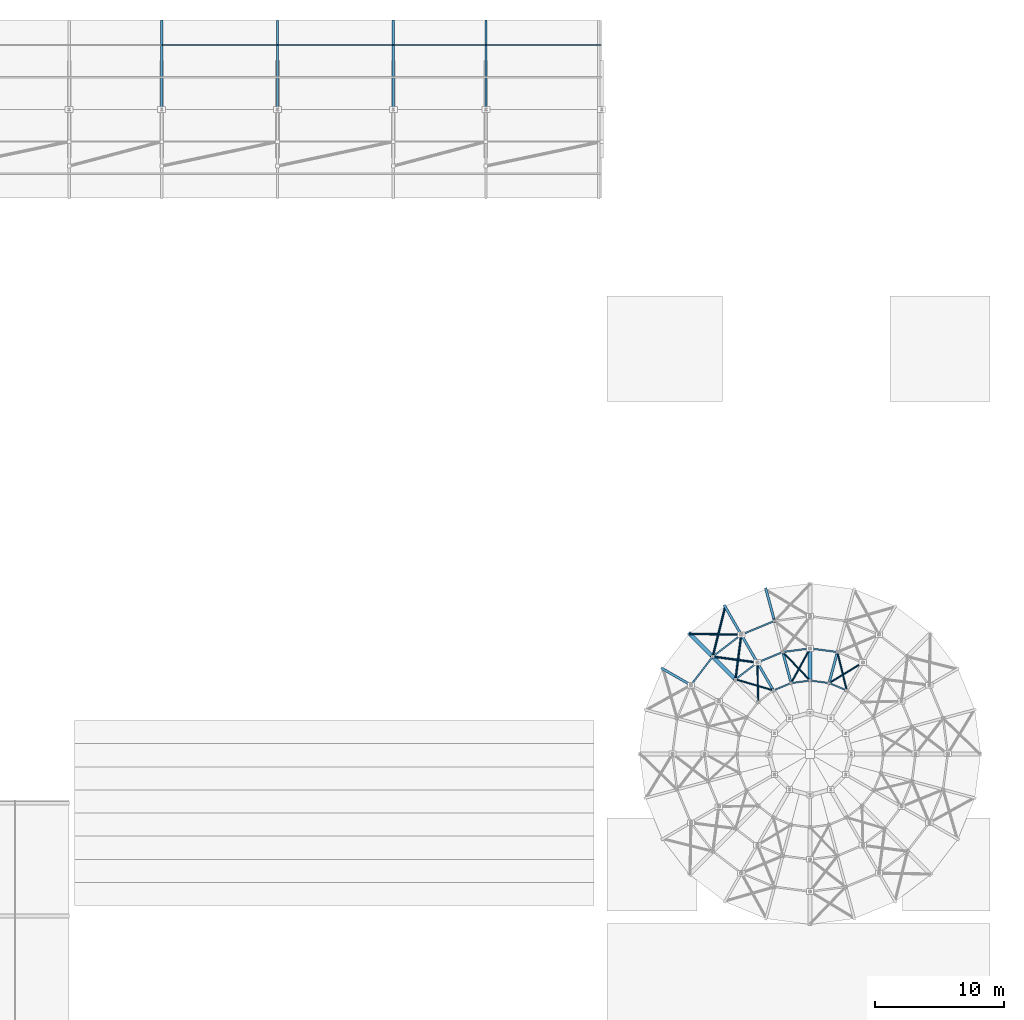
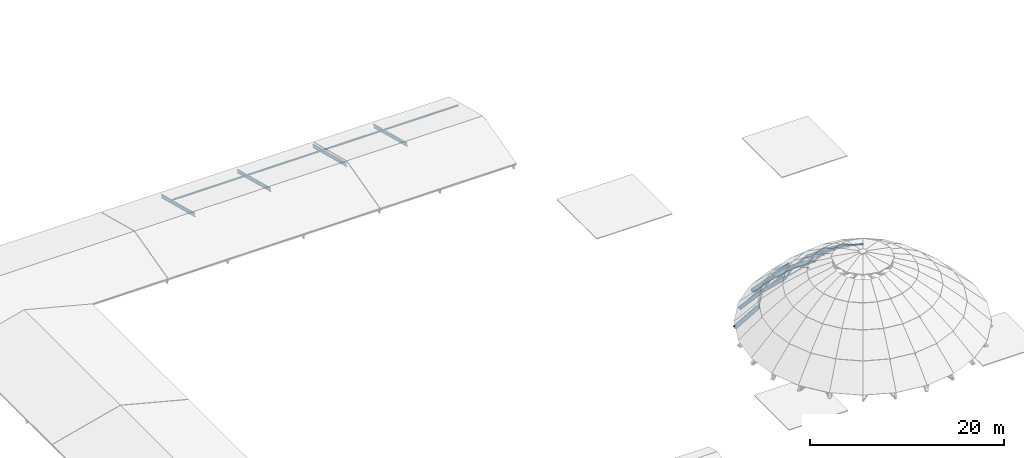
# One storey, part 17 of 31: 39 members.
"""IFC4 building model written with IfcOpenShell, lengths in metres."""

from ifc_helpers import new_model, si_unit, direction, frame, origin, origin_2d, place, context, subcontext, project, spatial, hollow_circle, i_section, extrude, material, material_profile, profile_set, type_object, element, save


model = new_model("IFC4")

# Units and contexts
model_context = context("Model", 3, precision=1e-05, world=origin(), true_north=direction((0.0, 1.0)))
body_context = subcontext(model_context, "Body", "Model", "MODEL_VIEW")
ifc_project = project(units=[si_unit("LENGTHUNIT", "METRE"), si_unit("AREAUNIT", "SQUARE_METRE"), si_unit("VOLUMEUNIT", "CUBIC_METRE"), si_unit("PLANEANGLEUNIT", "RADIAN"), si_unit("MASSUNIT", "GRAM", prefix="KILO")], contexts=[model_context])

# Site, building, storey
site_placement = place(None, origin())
site = spatial("IfcSite", under=ifc_project, at=site_placement, CompositionType="ELEMENT")
building_placement = place(site_placement, origin())
building = spatial("IfcBuilding", under=site, at=building_placement, Name="Clarverna Civic Hall", CompositionType="ELEMENT")
storey_placement = place(building_placement, frame((0.0, 0.0, 31.199951171875)))
storey = spatial("IfcBuildingStorey", under=building, at=storey_placement, Name="RF", CompositionType="ELEMENT", Elevation=31.199951171875)

# Members
ifc_material = material(Name="Steel S355", Category="steel")
ifc_material_profile_1 = material_profile(ifc_material, i_section(OverallWidth=0.300048828125, OverallDepth=0.360107421875, WebThickness=0.012451171875, FlangeThickness=0.0224609375, FilletRadius=0.027099609375, at=origin_2d()), Name="HEB 360")
ifc_profile_set_1 = profile_set([ifc_material_profile_1], Name="Steel S355")
member_type_1 = type_object("IfcMemberType", Name="DR-01", PredefinedType="RAFTER", material=ifc_profile_set_1)
member_1_placement = place(storey_placement, frame((73.46630859375, 68.333740234375, -10.800048828125), z_axis=(0.480352373499, -0.480418720512, 0.733797962831), x_axis=(0.707155609469, 0.707057949532, 0.0)))
element("IfcMember", 1, at=member_1_placement, inside=storey, type_object=member_type_1, Name="DR-01-004", PredefinedType="RAFTER", context=body_context, shape_type="SweptSolid", body=[
    extrude(i_section(OverallWidth=0.300048828125, OverallDepth=0.360107421875, WebThickness=0.012451171875, FlangeThickness=0.0224609375, FilletRadius=0.027099609375, at=origin_2d()), origin(), (0.0, 0.0, 1.0), 3.6796875),
])
member_2_placement = place(storey_placement, frame((75.23388671875, 66.56591796875, -8.099853515625), z_axis=(0.536156660761, -0.5360826162, 0.65203639755), x_axis=(0.707057949532, 0.707155609469, 0.0)))
element("IfcMember", 2, at=member_2_placement, inside=storey, type_object=member_type_1, Name="DR-01-012", PredefinedType="RAFTER", context=body_context, shape_type="SweptSolid", body=[
    extrude(i_section(OverallWidth=0.300048828125, OverallDepth=0.360107421875, WebThickness=0.012451171875, FlangeThickness=0.0224609375, FilletRadius=0.027099609375, at=origin_2d()), origin(), (0.0, 0.0, 1.0), 3.297119140625),
])
member_3_placement = place(storey_placement, frame((82.800048828125, 67.199951171875, -5.949951171875), z_axis=(0.0, -0.834624394871, 0.550819498099), x_axis=(1.0, 0.0, 0.0)))
element("IfcMember", 3, at=member_3_placement, inside=storey, type_object=member_type_1, Name="DR-01-019", PredefinedType="RAFTER", context=body_context, shape_type="SweptSolid", body=[
    extrude(i_section(OverallWidth=0.300048828125, OverallDepth=0.360107421875, WebThickness=0.012451171875, FlangeThickness=0.0224609375, FilletRadius=0.027099609375, at=origin_2d()), origin(), (0.0, 0.0, 1.0), 2.995361328125),
])
ifc_material_profile_2 = material_profile(ifc_material, i_section(OverallWidth=0.18994140625, OverallDepth=0.449951171875, WebThickness=0.009521484375, FlangeThickness=0.0146484375, FilletRadius=0.02099609375, at=origin_2d()), Name="IPE 450")
ifc_profile_set_2 = profile_set([ifc_material_profile_2], Name="Steel S355")
member_type_2 = type_object("IfcMemberType", Name="DR-02", PredefinedType="RAFTER", material=ifc_profile_set_2)
for number, where, z_axis, x_axis, name in (
    (4, (79.383544921875, 71.750244140625, -10.800048828125), (0.175817765481, -0.656231516366, 0.733790372157), (0.965932795341, 0.258793034845, 0.0), "DR-02-005"),
    (5, (76.199951171875, 70.431396484375, -10.800048828125), (0.339705373326, -0.588313973688, 0.733816685349), (0.865998541277, 0.500046524342, 0.0), "DR-02-006"),
    (6, (71.368408203125, 65.60009765625, -10.800048828125), (0.588357355682, -0.339692113339, 0.733788041705), (0.500004234368, 0.866022959057, 0.0), "DR-02-007"),
):
    element("IfcMember", number, at=place(storey_placement, frame(where, z_axis=z_axis, x_axis=x_axis)), inside=storey, type_object=member_type_2, Name=name, PredefinedType="RAFTER", context=body_context, shape_type="SweptSolid", body=[
        extrude(i_section(OverallWidth=0.18994140625, OverallDepth=0.449951171875, WebThickness=0.009521484375, FlangeThickness=0.0146484375, FilletRadius=0.02099609375, at=origin_2d()), origin(), (0.0, 0.0, 1.0), 3.6796875),
    ])
member_4_placement = place(storey_placement, frame((77.449951171875, 68.2666015625, -8.099853515625), z_axis=(0.379083333654, -0.656658219956, 0.651993717999), x_axis=(0.866047370643, 0.499961950354, 0.0)))
element("IfcMember", 7, at=member_4_placement, inside=storey, type_object=member_type_2, Name="DR-02-022", PredefinedType="RAFTER", context=body_context, shape_type="SweptSolid", body=[
    extrude(i_section(OverallWidth=0.18994140625, OverallDepth=0.449951171875, WebThickness=0.009521484375, FlangeThickness=0.0146484375, FilletRadius=0.02099609375, at=origin_2d()), origin(), (0.0, 0.0, 1.0), 3.29736328125),
])
for number, where, z_axis, x_axis, name in (
    (8, (84.92236328125, 66.920654296875, -5.949951171875), (-0.215993974184, -0.806187320247, 0.550825387749), (0.965932795341, -0.258793034845, 0.0), "DR-02-036"),
    (9, (80.677734375, 66.920654296875, -5.949951171875), (0.215993974184, -0.806187320247, 0.550825387749), (0.965932795341, 0.258793034845, 0.0), "DR-02-037"),
    (10, (78.699951171875, 66.101318359375, -5.949951171875), (0.417314659277, -0.722802030951, 0.550822747538), (0.866022959057, 0.500004234368, 0.0), "DR-02-038"),
):
    element("IfcMember", number, at=place(storey_placement, frame(where, z_axis=z_axis, x_axis=x_axis)), inside=storey, type_object=member_type_2, Name=name, PredefinedType="RAFTER", context=body_context, shape_type="SweptSolid", body=[
        extrude(i_section(OverallWidth=0.18994140625, OverallDepth=0.449951171875, WebThickness=0.009521484375, FlangeThickness=0.0146484375, FilletRadius=0.02099609375, at=origin_2d()), origin(), (0.0, 0.0, 1.0), 2.995361328125),
    ])
ifc_material_profile_3 = material_profile(ifc_material, hollow_circle(Radius=0.084228515625, WallThickness=0.010009765625, at=origin_2d()), Name="CHS 168.3x10.0")
ifc_profile_set_3 = profile_set([ifc_material_profile_3], Name="Steel S355")
member_type_3 = type_object("IfcMemberType", Name="LBD-1", PredefinedType="BRACE", material=ifc_profile_set_3)
member_5_placement = place(storey_placement, frame((76.199951171875, 70.431396484375, -10.800048828125), z_axis=(-0.200714221248, -0.803110504176, 0.561005632299), x_axis=(0.970160519404, -0.242463536619, 0.0)))
element("IfcMember", 11, at=member_5_placement, inside=storey, type_object=member_type_3, Name="LBD-1-009", PredefinedType="BRACE", context=body_context, shape_type="SweptSolid", body=[
    extrude(hollow_circle(Radius=0.084228515625, WallThickness=0.010009765625, at=origin_2d()), origin(), (0.0, 0.0, 1.0), 4.813232421875),
])
member_6_placement = place(storey_placement, frame((73.46630859375, 68.333740234375, -10.800048828125), z_axis=(0.827683866128, -0.013949443108, 0.56102123916), x_axis=(0.016851195216, 0.999858008529, 0.0)))
element("IfcMember", 12, at=member_6_placement, inside=storey, type_object=member_type_3, Name="LBD-1-010", PredefinedType="BRACE", context=body_context, shape_type="SweptSolid", body=[
    extrude(hollow_circle(Radius=0.084228515625, WallThickness=0.010009765625, at=origin_2d()), origin(), (0.0, 0.0, 1.0), 4.81298828125),
])
for number, where, z_axis, x_axis, name in (
    (13, (77.449951171875, 68.2666015625, -8.099853515625), (-0.109191557047, -0.844866699023, 0.52371506065), (0.991751550021, -0.128175126414, 0.0), "LBD-1-033"),
    (14, (75.23388671875, 66.56591796875, -8.099853515625), (0.844339082581, -0.11317723985, 0.523719797225), (0.132854196817, 0.991135592332, 0.0), "LBD-1-034"),
):
    element("IfcMember", number, at=place(storey_placement, frame(where, z_axis=z_axis, x_axis=x_axis)), inside=storey, type_object=member_type_3, Name=name, PredefinedType="BRACE", context=body_context, shape_type="SweptSolid", body=[
        extrude(hollow_circle(Radius=0.084228515625, WallThickness=0.010009765625, at=origin_2d()), origin(), (0.0, 0.0, 1.0), 4.10498046875),
    ])
ifc_material_profile_4 = material_profile(ifc_material, hollow_circle(Radius=0.06982421875, WallThickness=0.008056640625, at=origin_2d()), Name="CHS 139.7x8.0")
ifc_profile_set_4 = profile_set([ifc_material_profile_4], Name="Steel S355")
member_type_4 = type_object("IfcMemberType", Name="LBD-2", PredefinedType="BRACE", material=ifc_profile_set_4)
member_7_placement = place(storey_placement, frame((86.89990234375, 66.101318359375, -5.949951171875), z_axis=(-0.752762565677, -0.457609615507, 0.473225062218), x_axis=(0.519455130536, -0.854497728119, 0.0)))
element("IfcMember", 15, at=member_7_placement, inside=storey, type_object=member_type_4, Name="LBD-2-005", PredefinedType="BRACE", context=body_context, shape_type="SweptSolid", body=[
    extrude(hollow_circle(Radius=0.06982421875, WallThickness=0.008056640625, at=origin_2d()), origin(), (0.0, 0.0, 1.0), 3.486572265625),
])
member_8_placement = place(storey_placement, frame((84.92236328125, 66.920654296875, -5.949951171875), z_axis=(0.208653423576, -0.855899144227, 0.473181153198), x_axis=(0.971547108097, 0.236846399062, 0.0)))
element("IfcMember", 16, at=member_8_placement, inside=storey, type_object=member_type_4, Name="LBD-2-006", PredefinedType="BRACE", context=body_context, shape_type="SweptSolid", body=[
    extrude(hollow_circle(Radius=0.06982421875, WallThickness=0.008056640625, at=origin_2d()), origin(), (0.0, 0.0, 1.0), 3.48681640625),
])
member_9_placement = place(storey_placement, frame((82.800048828125, 67.199951171875, -5.949951171875), z_axis=(-0.423136488859, -0.772680978746, 0.473201454859), x_axis=(0.877095470583, -0.480316078725, 0.0)))
element("IfcMember", 17, at=member_9_placement, inside=storey, type_object=member_type_4, Name="LBD-2-007", PredefinedType="BRACE", context=body_context, shape_type="SweptSolid", body=[
    extrude(hollow_circle(Radius=0.06982421875, WallThickness=0.008056640625, at=origin_2d()), origin(), (0.0, 0.0, 1.0), 3.486572265625),
])
member_10_placement = place(storey_placement, frame((80.677734375, 66.920654296875, -5.949951171875), z_axis=(0.608667500281, -0.636884801858, 0.473182441838), x_axis=(0.722940404552, 0.690910393225, 0.0)))
element("IfcMember", 18, at=member_10_placement, inside=storey, type_object=member_type_4, Name="LBD-2-008", PredefinedType="BRACE", context=body_context, shape_type="SweptSolid", body=[
    extrude(hollow_circle(Radius=0.06982421875, WallThickness=0.008056640625, at=origin_2d()), origin(), (0.0, 0.0, 1.0), 3.48681640625),
])
member_11_placement = place(storey_placement, frame((78.699951171875, 66.101318359375, -5.949951171875), z_axis=(0.019956051815, -0.880727086771, 0.473203502337), x_axis=(0.999743392495, 0.022652795902, 0.0)))
element("IfcMember", 19, at=member_11_placement, inside=storey, type_object=member_type_4, Name="LBD-2-009", PredefinedType="BRACE", context=body_context, shape_type="SweptSolid", body=[
    extrude(hollow_circle(Radius=0.06982421875, WallThickness=0.008056640625, at=origin_2d()), origin(), (0.0, 0.0, 1.0), 3.486572265625),
])
member_12_placement = place(storey_placement, frame((77.001708984375, 64.79833984375, -5.949951171875), z_axis=(0.845554811509, -0.24723865845, 0.473191405778), x_axis=(0.28064697432, 0.959811062556, 0.0)))
element("IfcMember", 20, at=member_12_placement, inside=storey, type_object=member_type_4, Name="LBD-2-010", PredefinedType="BRACE", context=body_context, shape_type="SweptSolid", body=[
    extrude(hollow_circle(Radius=0.06982421875, WallThickness=0.008056640625, at=origin_2d()), origin(), (0.0, 0.0, 1.0), 3.48681640625),
])
ifc_material_profile_5 = material_profile(ifc_material, i_section(OverallWidth=0.1201171875, OverallDepth=0.239990234375, WebThickness=0.006103515625, FlangeThickness=0.009765625, FilletRadius=0.014892578125, at=origin_2d()), Name="IPE 240")
ifc_profile_set_5 = profile_set([ifc_material_profile_5], Name="Steel S355")
member_type_5 = type_object("IfcMemberType", Name="PU-DR1", PredefinedType="PURLIN", material=ifc_profile_set_5)
member_13_placement = place(storey_placement, frame((80.030517578125, 69.33544921875, -8.099853515625), z_axis=(-0.92388686727, -0.382665724211, 0.0), x_axis=(0.382665724211, -0.92388686727, 0.0)))
element("IfcMember", 21, at=member_13_placement, inside=storey, type_object=member_type_5, Name="PU-DR1-008", PredefinedType="PURLIN", context=body_context, shape_type="SweptSolid", body=[
    extrude(i_section(OverallWidth=0.1201171875, OverallDepth=0.239990234375, WebThickness=0.006103515625, FlangeThickness=0.009765625, FilletRadius=0.014892578125, at=origin_2d()), origin(), (0.0, 0.0, 1.0), 2.793212890625),
])
member_14_placement = place(storey_placement, frame((77.449951171875, 68.2666015625, -8.099853515625), z_axis=(-0.793312271081, -0.608814947708, 0.0), x_axis=(0.608814947708, -0.793312271081, 0.0)))
element("IfcMember", 22, at=member_14_placement, inside=storey, type_object=member_type_5, Name="PU-DR1-009", PredefinedType="PURLIN", context=body_context, shape_type="SweptSolid", body=[
    extrude(i_section(OverallWidth=0.1201171875, OverallDepth=0.239990234375, WebThickness=0.006103515625, FlangeThickness=0.009765625, FilletRadius=0.014892578125, at=origin_2d()), origin(), (0.0, 0.0, 1.0), 2.79345703125),
])
member_15_placement = place(storey_placement, frame((75.23388671875, 66.56591796875, -8.099853515625), z_axis=(-0.608802154131, -0.793322089145, 0.0), x_axis=(0.793322089145, -0.608802154131, 0.0)))
element("IfcMember", 23, at=member_15_placement, inside=storey, type_object=member_type_5, Name="PU-DR1-010", PredefinedType="PURLIN", context=body_context, shape_type="SweptSolid", body=[
    extrude(i_section(OverallWidth=0.1201171875, OverallDepth=0.239990234375, WebThickness=0.006103515625, FlangeThickness=0.009765625, FilletRadius=0.014892578125, at=origin_2d()), origin(), (0.0, 0.0, 1.0), 2.79296875),
])
for number, where, z_axis, x_axis, name in (
    (24, (84.92236328125, 66.920654296875, -5.949951171875), (-0.991451577962, 0.130475164522, 0.0), (-0.130475164522, -0.991451577962, 0.0), "PU-DR1-030"),
    (25, (82.800048828125, 67.199951171875, -5.949951171875), (-0.991451577962, -0.130475164522, 0.0), (0.130475164522, -0.991451577962, 0.0), "PU-DR1-031"),
):
    element("IfcMember", number, at=place(storey_placement, frame(where, z_axis=z_axis, x_axis=x_axis)), inside=storey, type_object=member_type_5, Name=name, PredefinedType="PURLIN", context=body_context, shape_type="SweptSolid", body=[
        extrude(i_section(OverallWidth=0.1201171875, OverallDepth=0.239990234375, WebThickness=0.006103515625, FlangeThickness=0.009765625, FilletRadius=0.014892578125, at=origin_2d()), origin(), (0.0, 0.0, 1.0), 2.140625),
    ])
member_16_placement = place(storey_placement, frame((80.677734375, 66.920654296875, -5.949951171875), z_axis=(-0.923861148191, -0.382727813026, 0.0), x_axis=(0.382727813026, -0.923861148191, 0.0)))
element("IfcMember", 26, at=member_16_placement, inside=storey, type_object=member_type_5, Name="PU-DR1-032", PredefinedType="PURLIN", context=body_context, shape_type="SweptSolid", body=[
    extrude(i_section(OverallWidth=0.1201171875, OverallDepth=0.239990234375, WebThickness=0.006103515625, FlangeThickness=0.009765625, FilletRadius=0.014892578125, at=origin_2d()), origin(), (0.0, 0.0, 1.0), 2.140869140625),
])
member_17_placement = place(storey_placement, frame((78.699951171875, 66.101318359375, -5.949951171875), z_axis=(-0.793382343433, -0.608723629514, 0.0), x_axis=(0.608723629514, -0.793382343433, 0.0)))
element("IfcMember", 27, at=member_17_placement, inside=storey, type_object=member_type_5, Name="PU-DR1-033", PredefinedType="PURLIN", context=body_context, shape_type="SweptSolid", body=[
    extrude(i_section(OverallWidth=0.1201171875, OverallDepth=0.239990234375, WebThickness=0.006103515625, FlangeThickness=0.009765625, FilletRadius=0.014892578125, at=origin_2d()), origin(), (0.0, 0.0, 1.0), 2.140625),
])
ifc_material_profile_6 = material_profile(ifc_material, i_section(OverallWidth=0.110107421875, OverallDepth=0.219970703125, WebThickness=0.005859375, FlangeThickness=0.00927734375, FilletRadius=0.011962890625, at=origin_2d()), Name="IPE 220")
ifc_profile_set_6 = profile_set([ifc_material_profile_6], Name="Steel S355")
member_type_6 = type_object("IfcMemberType", Name="PU-DR2", PredefinedType="PURLIN", material=ifc_profile_set_6)
member_18_placement = place(storey_placement, frame((85.64990234375, 63.936279296875, -4.300048828125), z_axis=(-0.923822805011, 0.382820355966, 0.0), x_axis=(-0.382820355966, -0.923822805011, 0.0)))
element("IfcMember", 28, at=member_18_placement, inside=storey, type_object=member_type_6, Name="PU-DR2-005", PredefinedType="PURLIN", context=body_context, shape_type="SweptSolid", body=[
    extrude(i_section(OverallWidth=0.110107421875, OverallDepth=0.219970703125, WebThickness=0.005859375, FlangeThickness=0.00927734375, FilletRadius=0.011962890625, at=origin_2d()), origin(), (0.0, 0.0, 1.0), 1.48779296875),
])
for number, where, z_axis, x_axis, name in (
    (29, (84.275390625, 64.505859375, -4.300048828125), (-0.991457087471, 0.130433292163, 0.0), (-0.130433292163, -0.991457087471, 0.0), "PU-DR2-006"),
    (30, (82.800048828125, 64.699951171875, -4.300048828125), (-0.991457087471, -0.130433292163, 0.0), (0.130433292163, -0.991457087471, 0.0), "PU-DR2-007"),
    (31, (81.32470703125, 64.505859375, -4.300048828125), (-0.923846847066, -0.382762332482, 0.0), (0.382762332482, -0.923846847066, 0.0), "PU-DR2-008"),
):
    element("IfcMember", number, at=place(storey_placement, frame(where, z_axis=z_axis, x_axis=x_axis)), inside=storey, type_object=member_type_6, Name=name, PredefinedType="PURLIN", context=body_context, shape_type="SweptSolid", body=[
        extrude(i_section(OverallWidth=0.110107421875, OverallDepth=0.219970703125, WebThickness=0.005859375, FlangeThickness=0.00927734375, FilletRadius=0.011962890625, at=origin_2d()), origin(), (0.0, 0.0, 1.0), 1.488037109375),
    ])
ifc_material_profile_7 = material_profile(ifc_material, i_section(OverallWidth=0.10009765625, OverallDepth=0.199951171875, WebThickness=0.005615234375, FlangeThickness=0.008544921875, FilletRadius=0.011962890625, at=origin_2d()), Name="IPE 200")
ifc_profile_set_7 = profile_set([ifc_material_profile_7], Name="Steel S355")
member_type_7 = type_object("IfcMemberType", Name="PU-RF1", PredefinedType="PURLIN", material=ifc_profile_set_7)
for number, where, z_axis, x_axis, name in (
    (32, (32.39990234375, 114.10009765625, -10.568603515625), (1.0, 0.0, 0.0), (0.0, 1.0, 0.0), "PU-RF1-029"),
    (33, (41.39990234375, 114.10009765625, -10.568603515625), (1.0, 0.0, 0.0), (0.0, 1.0, 0.0), "PU-RF1-030"),
):
    element("IfcMember", number, at=place(storey_placement, frame(where, z_axis=z_axis, x_axis=x_axis)), inside=storey, type_object=member_type_7, Name=name, PredefinedType="PURLIN", context=body_context, shape_type="SweptSolid", body=[
        extrude(i_section(OverallWidth=0.10009765625, OverallDepth=0.199951171875, WebThickness=0.005615234375, FlangeThickness=0.008544921875, FilletRadius=0.011962890625, at=origin_2d()), origin(), (0.0, 0.0, 1.0), 9.0),
    ])
member_19_placement = place(storey_placement, frame((50.39990234375, 114.10009765625, -10.568603515625), z_axis=(1.0, 0.0, 0.0), x_axis=(0.0, 1.0, 0.0)))
element("IfcMember", 34, at=member_19_placement, inside=storey, type_object=member_type_7, Name="PU-RF1-031", PredefinedType="PURLIN", context=body_context, shape_type="SweptSolid", body=[
    extrude(i_section(OverallWidth=0.10009765625, OverallDepth=0.199951171875, WebThickness=0.005615234375, FlangeThickness=0.008544921875, FilletRadius=0.011962890625, at=origin_2d()), origin(), (0.0, 0.0, 1.0), 7.2001953125),
])
member_20_placement = place(storey_placement, frame((57.60009765625, 114.10009765625, -10.568603515625), z_axis=(1.0, 0.0, 0.0), x_axis=(0.0, 1.0, 0.0)))
element("IfcMember", 35, at=member_20_placement, inside=storey, type_object=member_type_7, Name="PU-RF1-032", PredefinedType="PURLIN", context=body_context, shape_type="SweptSolid", body=[
    extrude(i_section(OverallWidth=0.10009765625, OverallDepth=0.199951171875, WebThickness=0.005615234375, FlangeThickness=0.008544921875, FilletRadius=0.011962890625, at=origin_2d()), origin(), (0.0, 0.0, 1.0), 9.0),
])
ifc_material_profile_8 = material_profile(ifc_material, i_section(OverallWidth=0.179931640625, OverallDepth=0.39990234375, WebThickness=0.008544921875, FlangeThickness=0.013427734375, FilletRadius=0.02099609375, at=origin_2d()), Name="IPE 400")
ifc_profile_set_8 = profile_set([ifc_material_profile_8], Name="Steel S355")
member_type_8 = type_object("IfcMemberType", Name="RF-01", PredefinedType="RAFTER", material=ifc_profile_set_8)
for number, where, z_axis, x_axis, name in (
    (36, (32.39990234375, 116.0, -11.14990234375), (0.0, -0.968148056974, 0.250378393193), (1.0, 0.0, 0.0), "RF-01-010"),
    (37, (41.39990234375, 116.0, -11.14990234375), (0.0, -0.968148056974, 0.250378393193), (1.0, 0.0, 0.0), "RF-01-012"),
    (38, (50.39990234375, 116.0, -11.14990234375), (0.0, -0.968148056974, 0.250378393193), (1.0, 0.0, 0.0), "RF-01-014"),
    (39, (57.60009765625, 116.0, -11.14990234375), (0.0, -0.968148056974, 0.250378393193), (1.0, 0.0, 0.0), "RF-01-016"),
):
    element("IfcMember", number, at=place(storey_placement, frame(where, z_axis=z_axis, x_axis=x_axis)), inside=storey, type_object=member_type_8, Name=name, PredefinedType="RAFTER", context=body_context, shape_type="SweptSolid", body=[
        extrude(i_section(OverallWidth=0.179931640625, OverallDepth=0.39990234375, WebThickness=0.008544921875, FlangeThickness=0.013427734375, FilletRadius=0.02099609375, at=origin_2d()), origin(), (0.0, 0.0, 1.0), 7.126953125),
    ])

save(model, "model.ifc")
